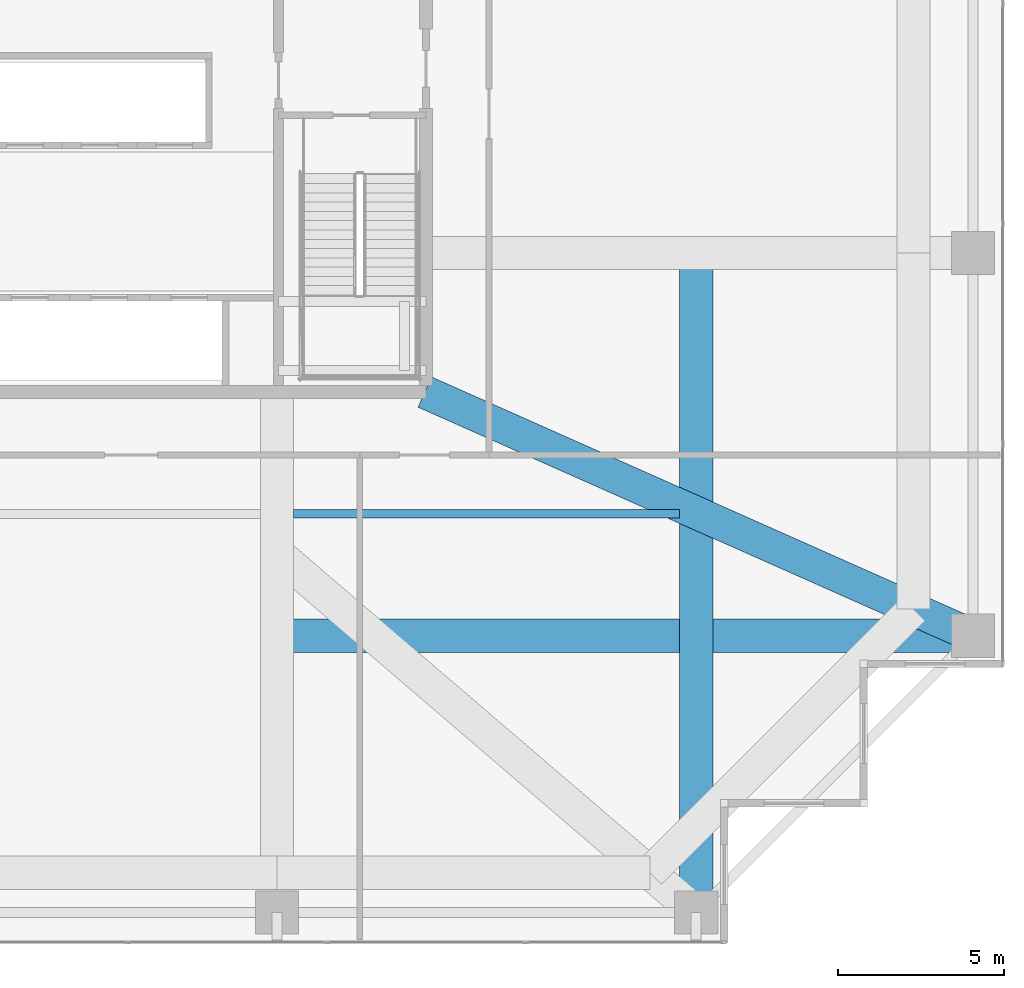
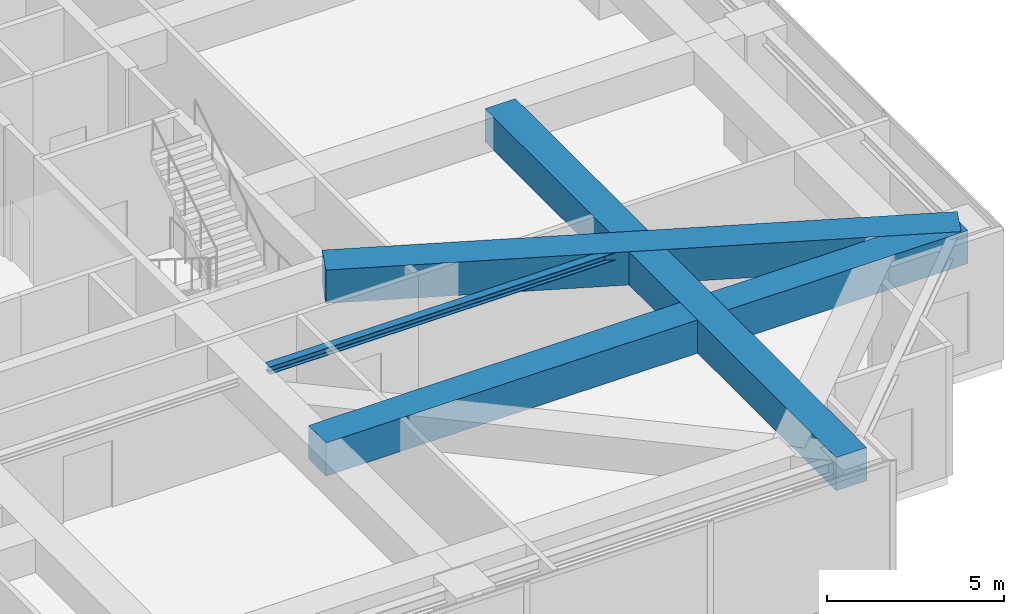
# One storey, part 14 of 35: 4 beams.
"""IFC4 building model written with IfcOpenShell, lengths in metres."""

import ifcopenshell
import ifcopenshell.guid

model = None  # the IFC model being written
_history = None  # IfcOwnerHistory: only IFC2X3 demands one
_inside = {}  # id of a spatial element -> (the spatial element, [elements in it])
_under = {}  # id of a project, library or spatial element -> (it, [spatial elements below it])
_declared = {}  # id of a project -> (the project, [libraries it declares])
_typed = {}  # id of a type object -> (the type object, [elements of that type])
_made_of = {}  # id of a material, layer set ... -> (it, [elements and type objects made of it])


def new_model(schema):
    """Start an empty IFC model of exactly this schema.

    Asked for "IFC4X3", IfcOpenShell would pick the latest addendum, in which some entities
    have other attributes; the version numbers below select the first issue.
    IFC2X3 requires an IfcOwnerHistory on every rooted entity: one is made here for all.
    """
    global model, _history
    if schema == "IFC4X3":
        model = ifcopenshell.file(schema_version=(4, 3, 0, 0))
    else:
        model = ifcopenshell.file(schema=schema)
    _inside.clear()
    _under.clear()
    _declared.clear()
    _typed.clear()
    _made_of.clear()
    _history = None
    if model.schema == "IFC2X3":
        org = make("IfcOrganization", Name="unknown")
        user = make(
            "IfcPersonAndOrganization",
            ThePerson=make("IfcPerson", FamilyName="unknown"),
            TheOrganization=org,
        )
        app = make(
            "IfcApplication",
            ApplicationDeveloper=org,
            Version="unknown",
            ApplicationFullName="unknown",
            ApplicationIdentifier="unknown",
        )
        _history = make(
            "IfcOwnerHistory",
            OwningUser=user,
            OwningApplication=app,
            ChangeAction="ADDED",
            CreationDate=0,
        )
    return model


def make(cls, **values):
    """One entity of the class cls with the attributes given. An attribute that is None is left unset."""
    return model.create_entity(
        cls, **{name: value for name, value in values.items() if value is not None}
    )


def rooted(cls, **values):
    """An entity with a GlobalId (a new one), such as an element, a storey or a relation."""
    return make(cls, GlobalId=ifcopenshell.guid.new(), OwnerHistory=_history, **values)


def si_unit(unit_type, name, prefix=None):
    """IfcSIUnit, for example si_unit("LENGTHUNIT", "METRE", prefix="MILLI")."""
    return make("IfcSIUnit", UnitType=unit_type, Prefix=prefix, Name=name)


def assignment(units):
    """IfcUnitAssignment: the units of a project."""
    return None if units is None else make("IfcUnitAssignment", Units=units)


def point(xyz):
    """IfcCartesianPoint."""
    return None if xyz is None else make("IfcCartesianPoint", Coordinates=xyz)


def direction(xyz):
    """IfcDirection."""
    return None if xyz is None else make("IfcDirection", DirectionRatios=xyz)


def frame(location, z_axis=None, x_axis=None):
    """IfcAxis2Placement3D, a coordinate frame: its origin and axes. An axis left out is left unset."""
    return make(
        "IfcAxis2Placement3D",
        Location=point(location),
        Axis=direction(z_axis),
        RefDirection=direction(x_axis),
    )


def frame_2d(location, x_axis=None):
    """IfcAxis2Placement2D, a coordinate frame in the plane: its origin and x axis."""
    return make(
        "IfcAxis2Placement2D", Location=point(location), RefDirection=direction(x_axis)
    )


def origin():
    """The frame at (0, 0, 0) with its axes left unset."""
    return frame((0.0, 0.0, 0.0))


def origin_2d():
    """The frame at (0, 0) in the plane with its x axis left unset."""
    return frame_2d((0.0, 0.0))


def place(relative_to, where):
    """IfcLocalPlacement: puts the frame where relative to a parent placement (None: the world)."""
    return make(
        "IfcLocalPlacement", PlacementRelTo=relative_to, RelativePlacement=where
    )


def context(
    kind, dimensions, precision=None, world=None, true_north=None, identifier=None
):
    """IfcGeometricRepresentationContext, for example the 3D "Model" context."""
    return make(
        "IfcGeometricRepresentationContext",
        ContextIdentifier=identifier,
        ContextType=kind,
        CoordinateSpaceDimension=dimensions,
        Precision=precision,
        WorldCoordinateSystem=world,
        TrueNorth=true_north,
    )


def subcontext(parent, identifier, kind, view, scale=None):
    """IfcGeometricRepresentationSubContext, for example "Body" below "Model"."""
    return make(
        "IfcGeometricRepresentationSubContext",
        ContextIdentifier=identifier,
        ContextType=kind,
        ParentContext=parent,
        TargetScale=scale,
        TargetView=view,
    )


def project(units=None, contexts=None):
    """IfcProject with its units and contexts."""
    return rooted(
        "IfcProject",
        Name="project",
        RepresentationContexts=contexts,
        UnitsInContext=assignment(units),
    )


def spatial(cls, under=None, at=None, **own):
    """A site, building, storey or space (cls), placed at a placement, below another one or the project."""
    s = rooted(cls, ObjectPlacement=at, **own)
    if under is not None:
        _under.setdefault(under.id(), (under, []))[1].append(s)
    return s


def profile(cls, at=None, kind="AREA", **sizes):
    """A parametric profile (cls). Its sizes go by their IFC names, for example OverallWidth=200.0."""
    return make(cls, ProfileType=kind, Position=at, **sizes)


def rectangle(**sizes):
    """IfcRectangleProfileDef."""
    return profile("IfcRectangleProfileDef", **sizes)


def i_section(**sizes):
    """IfcIShapeProfileDef."""
    return profile("IfcIShapeProfileDef", **sizes)


def extrude(swept, where, along, depth):
    """IfcExtrudedAreaSolid: the profile swept, set in the frame where, extruded along a direction by depth."""
    return make(
        "IfcExtrudedAreaSolid",
        SweptArea=swept,
        Position=where,
        ExtrudedDirection=direction(along),
        Depth=depth,
    )


def shape(context_of_items, identifier, shape_type, items):
    """IfcShapeRepresentation: the items that make up one representation, for example the "Body"."""
    return make(
        "IfcShapeRepresentation",
        ContextOfItems=context_of_items,
        RepresentationIdentifier=identifier,
        RepresentationType=shape_type,
        Items=items,
    )


def source(mapping_origin, context_of_items, identifier, shape_type, items):
    """IfcRepresentationMap: a shape defined once, which mapped items show again and again."""
    return make(
        "IfcRepresentationMap",
        MappingOrigin=mapping_origin,
        MappedRepresentation=shape(context_of_items, identifier, shape_type, items),
    )


def transform(
    local_origin,
    x_axis=None,
    y_axis=None,
    z_axis=None,
    scale=None,
    scale2=None,
    scale3=None,
    uniform=True,
):
    """IfcCartesianTransformationOperator3D, or its non-uniform kind. x_axis, y_axis, z_axis: its Axis1, 2, 3."""
    if uniform:
        return make(
            "IfcCartesianTransformationOperator3D",
            Axis1=direction(x_axis),
            Axis2=direction(y_axis),
            LocalOrigin=point(local_origin),
            Scale=scale,
            Axis3=direction(z_axis),
        )
    return make(
        "IfcCartesianTransformationOperator3DnonUniform",
        Axis1=direction(x_axis),
        Axis2=direction(y_axis),
        LocalOrigin=point(local_origin),
        Scale=scale,
        Axis3=direction(z_axis),
        Scale2=scale2,
        Scale3=scale3,
    )


def mapped(mapping_source, mapping_target):
    """IfcMappedItem: shows the shape of a source again, moved by a transform."""
    return make(
        "IfcMappedItem", MappingSource=mapping_source, MappingTarget=mapping_target
    )


def material(Name=None, Category=None):
    """IfcMaterial."""
    return make("IfcMaterial", Name=Name, Category=Category)


def material_profile(
    of_material, cross_section, Name=None, Category=None, Priority=None
):
    """IfcMaterialProfile: a cross section and its material."""
    return make(
        "IfcMaterialProfile",
        Name=Name,
        Material=of_material,
        Profile=cross_section,
        Priority=Priority,
        Category=Category,
    )


def profile_set(profiles, Name=None, composite=None):
    """IfcMaterialProfileSet."""
    return make(
        "IfcMaterialProfileSet",
        Name=Name,
        MaterialProfiles=profiles,
        CompositeProfile=composite,
    )


def made_of(thing, what):
    """Note that an element or type object is made of a material, layer set ...; save() writes the relation."""
    if what is not None:
        _made_of.setdefault(what.id(), (what, []))[1].append(thing)
    return thing


def type_object(cls, material=None, **own):
    """A type object (cls), such as IfcWallType, which elements share."""
    return made_of(rooted(cls, **own), material)


def element(
    cls,
    number,
    at=None,
    inside=None,
    cuts=None,
    type_object=None,
    material=None,
    context=None,
    identifier="Body",
    shape_type=None,
    held_by="IfcProductDefinitionShape",
    body=None,
    shapes=None,
    **own,
):
    """One element of the class cls, such as IfcWall. Its Tag is "e" and its number.

    at: its placement. inside: the storey or other place that contains it. cuts: it is an
    opening in that element (IfcRelVoidsElement). A single representation is given by context,
    identifier, shape_type and body (its items); several are given by shapes. held_by: the class
    of the entity that holds the representations. save() writes the other relations.
    """
    e = rooted(cls, Tag="e%d" % number, ObjectPlacement=at, **own)
    if body is not None:
        shapes = [shape(context, identifier, shape_type, body)]
    if shapes is not None:
        e.Representation = make(held_by, Representations=shapes)
    if inside is not None:
        _inside.setdefault(inside.id(), (inside, []))[1].append(e)
    if cuts is not None:
        rooted(
            "IfcRelVoidsElement", RelatingBuildingElement=cuts, RelatedOpeningElement=e
        )
    if type_object is not None:
        _typed.setdefault(type_object.id(), (type_object, []))[1].append(e)
    return made_of(e, material)


def aggregate(whole, parts):
    """IfcRelAggregates: a whole, such as a stair, and the parts it consists of."""
    return rooted("IfcRelAggregates", RelatingObject=whole, RelatedObjects=parts)


def save(model, path):
    """Write the relations noted so far, then the file.

    IfcRelAggregates (storeys below a building ...), IfcRelContainedInSpatialStructure (elements
    in a storey), IfcRelDefinesByType, IfcRelAssociatesMaterial and IfcRelDeclares: one each for
    every whole, place, type object, material and project.
    """
    for whole, parts in _under.values():
        aggregate(whole, parts)
    for where, things in _inside.values():
        rooted(
            "IfcRelContainedInSpatialStructure",
            RelatedElements=things,
            RelatingStructure=where,
        )
    for kind, things in _typed.values():
        rooted("IfcRelDefinesByType", RelatedObjects=things, RelatingType=kind)
    for what, things in _made_of.values():
        rooted("IfcRelAssociatesMaterial", RelatedObjects=things, RelatingMaterial=what)
    for by, libraries in _declared.values():
        rooted("IfcRelDeclares", RelatingContext=by, RelatedDefinitions=libraries)
    model.write(path)


model = new_model("IFC4")

# Units and contexts
model_context = context("Model", 3, precision=1e-05, world=origin(), true_north=direction((0.0, 1.0)))
body_context = subcontext(model_context, "Body", "Model", "MODEL_VIEW")
ifc_project = project(units=[si_unit("LENGTHUNIT", "METRE"), si_unit("AREAUNIT", "SQUARE_METRE"), si_unit("VOLUMEUNIT", "CUBIC_METRE"), si_unit("PLANEANGLEUNIT", "RADIAN"), si_unit("MASSUNIT", "GRAM", prefix="KILO")], contexts=[model_context])

# Site, building, storey
site_placement = place(None, origin())
site = spatial("IfcSite", under=ifc_project, at=site_placement, CompositionType="ELEMENT")
building_placement = place(site_placement, origin())
building = spatial("IfcBuilding", under=site, at=building_placement, Name="Serunith Strait Residences", CompositionType="ELEMENT")
storey_placement = place(building_placement, frame((0.0, 0.0, 115.199951171875)))
storey = spatial("IfcBuildingStorey", under=building, at=storey_placement, Name="L28", CompositionType="ELEMENT", Elevation=115.199951171875)

# Beams
ifc_material_1 = material(Name="Concrete C80/95", Category="concrete")
ifc_material_profile_1 = material_profile(ifc_material_1, rectangle(XDim=1.0, YDim=1.14990234375, at=origin_2d()), Name="RC 1000x1150")
ifc_profile_set_1 = profile_set([ifc_material_profile_1], Name="Concrete C80/95")
beam_type_1 = type_object("IfcBeamType", Name="BM-XFER-1000x1150", PredefinedType="BEAM", material=ifc_profile_set_1)
shared_shape_1 = source(origin(), body_context, "Body", "SweptSolid", [
    extrude(rectangle(XDim=1.0, YDim=1.14990234375, at=origin_2d()), origin(), (0.0, 0.0, 1.0), 19.89990234375),
])
beam_1_placement = place(storey_placement, frame((49.550048828125, 21.0, 3.93505859375), z_axis=(0.0, -1.0, 0.0), x_axis=(1.0, 0.0, 0.0)))
element("IfcBeam", 1, at=beam_1_placement, inside=storey, type_object=beam_type_1, Name="L28 Orthogonal Corner Girder TC-S4", PredefinedType="BEAM", context=body_context, shape_type="MappedRepresentation", body=[
    mapped(shared_shape_1, transform((0.0, 0.0, 0.0), scale=1.0)),
])
shared_shape_2 = source(origin(), body_context, "Body", "SweptSolid", [
    extrude(rectangle(XDim=1.0, YDim=1.14990234375, at=origin_2d()), origin(), (0.0, 0.0, 1.0), 21.0),
])
beam_2_placement = place(storey_placement, frame((36.89990234375, 9.449951171875, 3.93505859375), z_axis=(1.0, 0.0, 0.0), x_axis=(0.0, 1.0, 0.0)))
element("IfcBeam", 2, at=beam_2_placement, inside=storey, type_object=beam_type_1, Name="L28 Orthogonal Corner Girder TC-E1", PredefinedType="BEAM", context=body_context, shape_type="MappedRepresentation", body=[
    mapped(shared_shape_2, transform((0.0, 0.0, 0.0), scale=1.0)),
])
shared_shape_3 = source(origin(), body_context, "Body", "SweptSolid", [
    extrude(rectangle(XDim=1.0, YDim=1.14990234375, at=origin_2d()), origin(), (0.0, 0.0, 1.0), 18.09716796875),
])
beam_3_placement = place(storey_placement, frame((57.89990234375, 9.449951171875, 3.93505859375), z_axis=(-0.913808210726, 0.406145976233, 0.0), x_axis=(-0.406145976233, -0.913808210726, 0.0)))
element("IfcBeam", 3, at=beam_3_placement, inside=storey, type_object=beam_type_1, Name="L28 Diagonal Corner Transfer Girder TC-E1", PredefinedType="BEAM", context=body_context, shape_type="MappedRepresentation", body=[
    mapped(shared_shape_3, transform((0.0, 0.0, 0.0), scale=1.0)),
])
ifc_material_2 = material(Name="Steel S355J2", Category="steel")
ifc_material_profile_2 = material_profile(ifc_material_2, i_section(OverallWidth=0.260009765625, OverallDepth=0.260009765625, WebThickness=0.010009765625, FlangeThickness=0.017578125, FilletRadius=0.02392578125, at=origin_2d()), Name="HEB 260")
ifc_profile_set_2 = profile_set([ifc_material_profile_2], Name="Steel S355J2")
beam_type_2 = type_object("IfcBeamType", Name="BM-HEB260", PredefinedType="JOIST", material=ifc_profile_set_2)
shared_shape_4 = source(origin(), body_context, "Body", "SweptSolid", [
    extrude(i_section(OverallWidth=0.260009765625, OverallDepth=0.260009765625, WebThickness=0.010009765625, FlangeThickness=0.017578125, FilletRadius=0.02392578125, at=origin_2d()), origin(), (0.0, 0.0, 1.0), 11.650146484375),
])
beam_4_placement = place(storey_placement, frame((37.39990234375, 13.125, 4.376953125), z_axis=(1.0, 0.0, 0.0), x_axis=(0.0, 1.0, 0.0)))
element("IfcBeam", 4, at=beam_4_placement, inside=storey, type_object=beam_type_2, Name="L28 Composite Floor Joist 03", PredefinedType="JOIST", context=body_context, shape_type="MappedRepresentation", body=[
    mapped(shared_shape_4, transform((0.0, 0.0, 0.0), scale=1.0)),
])

save(model, "model.ifc")
